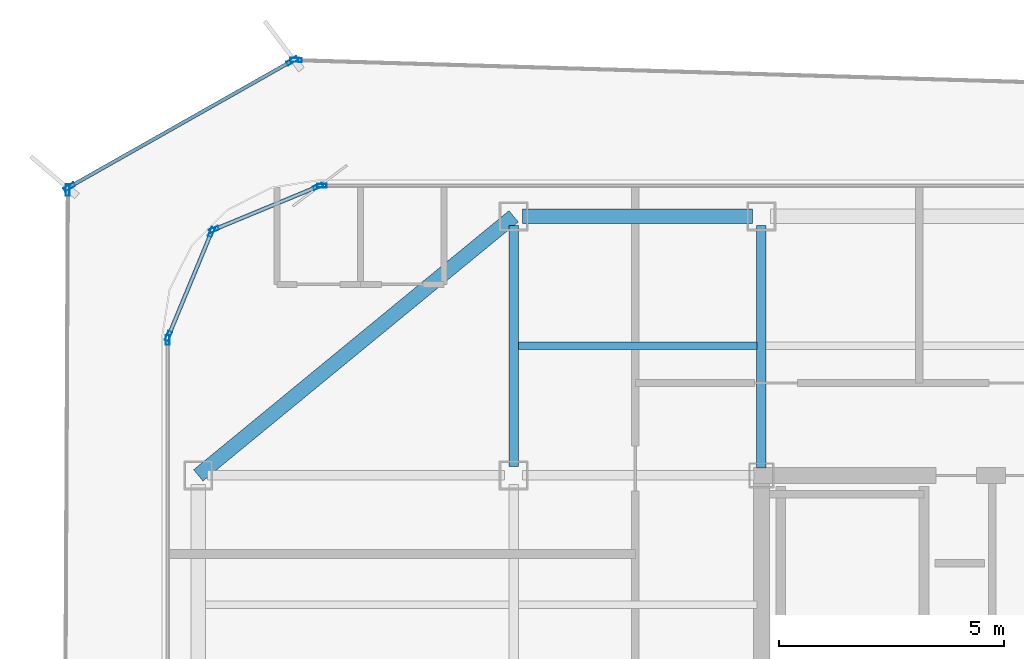
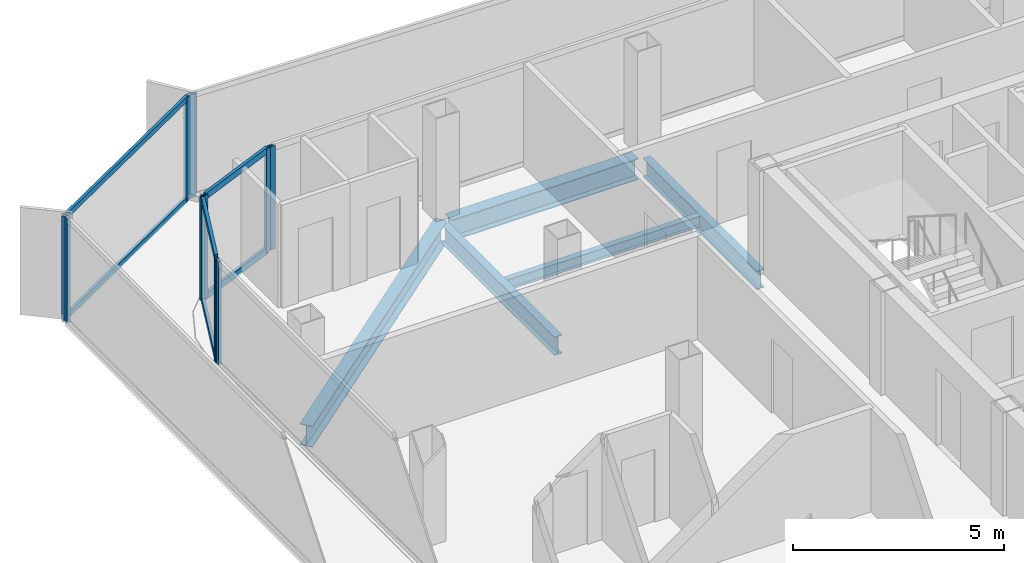
# One storey, part 6 of 15: 16 members, 5 beams, 7 elements without a shape of their own.
"""IFC4 building model written with IfcOpenShell, lengths in metres."""

from ifc_helpers import new_model, si_unit, direction, frame, origin, origin_2d, place, context, subcontext, project, spatial, hollow_rectangle, i_section, extrude, source, transform, mapped, material, layer, layer_set, material_profile, profile_set, type_object, element, aggregate, save


model = new_model("IFC4")

# Units and contexts
model_context = context("Model", 3, precision=1e-05, world=origin(), true_north=direction((0.0, 1.0)))
body_context = subcontext(model_context, "Body", "Model", "MODEL_VIEW")
ifc_project = project(units=[si_unit("LENGTHUNIT", "METRE"), si_unit("AREAUNIT", "SQUARE_METRE"), si_unit("VOLUMEUNIT", "CUBIC_METRE"), si_unit("PLANEANGLEUNIT", "RADIAN"), si_unit("MASSUNIT", "GRAM", prefix="KILO")], contexts=[model_context])

# Site, building, storey
site_placement = place(None, origin())
site = spatial("IfcSite", under=ifc_project, at=site_placement, CompositionType="ELEMENT")
building_placement = place(site_placement, origin())
building = spatial("IfcBuilding", under=site, at=building_placement, Name="Kolveth Station Tower", CompositionType="ELEMENT")
storey_placement = place(building_placement, frame((0.0, 0.0, 258.5)))
storey = spatial("IfcBuildingStorey", under=building, at=storey_placement, Name="L74", CompositionType="ELEMENT", Elevation=258.5)

# Beams
ifc_material_1 = material(Name="Steel S355", Category="steel")
ifc_material_profile_1 = material_profile(ifc_material_1, i_section(OverallWidth=0.323974609375, OverallDepth=0.611083984375, WebThickness=0.0126953125, FlangeThickness=0.01904296875, at=origin_2d()), Name="W610x155")
ifc_profile_set_1 = profile_set([ifc_material_profile_1], Name="Steel S355")
beam_type_1 = type_object("IfcBeamType", Name="Beam_SP2", PredefinedType="SPANDREL", material=ifc_profile_set_1)
shared_shape_1 = source(origin(), body_context, "Body", "SweptSolid", [
    extrude(i_section(OverallWidth=0.323974609375, OverallDepth=0.611083984375, WebThickness=0.0126953125, FlangeThickness=0.01904296875, at=origin_2d()), origin(), (0.0, 0.0, 1.0), 9.058837890625),
])
beam_1_placement = place(storey_placement, frame((13.0, 34.5, -0.525390625), z_axis=(-0.772726254525, -0.63473942336, 0.0), x_axis=(0.63473942336, -0.772726254525, 0.0)))
element("IfcBeam", 1, at=beam_1_placement, inside=storey, type_object=beam_type_1, Name="L74 Corner Edge Girder BM-L74-CNR-NW", PredefinedType="SPANDREL", context=body_context, shape_type="MappedRepresentation", body=[
    mapped(shared_shape_1, transform((0.0, 0.0, 0.0), x_axis=(1.0, 0.0, 0.0), y_axis=(0.0, 1.0, 0.0), z_axis=(0.0, 0.0, 1.0), scale=1.0)),
])
shared_shape_2 = source(origin(), body_context, "Body", "SweptSolid", [
    extrude(i_section(OverallWidth=0.323974609375, OverallDepth=0.611083984375, WebThickness=0.0126953125, FlangeThickness=0.01904296875, at=origin_2d()), origin(), (0.0, 0.0, 1.0), 5.10009765625),
])
beam_2_placement = place(storey_placement, frame((13.199951171875, 34.5, -0.525390625), z_axis=(1.0, 0.0, 0.0), x_axis=(0.0, 1.0, 0.0)))
element("IfcBeam", 2, at=beam_2_placement, inside=storey, type_object=beam_type_1, Name="L74 Perimeter Spandrel BM-L74-PN-1", PredefinedType="SPANDREL", context=body_context, shape_type="MappedRepresentation", body=[
    mapped(shared_shape_2, transform((0.0, 0.0, 0.0), x_axis=(1.0, 0.0, 0.0), y_axis=(0.0, 1.0, 0.0), z_axis=(0.0, 0.0, 1.0), scale=1.0)),
])
ifc_material_profile_2 = material_profile(ifc_material_1, i_section(OverallWidth=0.2099609375, OverallDepth=0.537109375, WebThickness=0.010986328125, FlangeThickness=0.017333984375, at=origin_2d()), Name="W530x101")
ifc_profile_set_2 = profile_set([ifc_material_profile_2], Name="Steel S355")
beam_type_2 = type_object("IfcBeamType", Name="Beam_B6", PredefinedType="BEAM", material=ifc_profile_set_2)
shared_shape_3 = source(origin(), body_context, "Body", "SweptSolid", [
    extrude(i_section(OverallWidth=0.2099609375, OverallDepth=0.537109375, WebThickness=0.010986328125, FlangeThickness=0.017333984375, at=origin_2d()), origin(), (0.0, 0.0, 1.0), 5.35009765625),
])
beam_3_placement = place(storey_placement, frame((13.0, 28.949951171875, -0.488525390625), z_axis=(0.0, 1.0, 0.0), x_axis=(-1.0, 0.0, 0.0)))
element("IfcBeam", 3, at=beam_3_placement, inside=storey, type_object=beam_type_2, Name="L74 Primary Girder BM-L74-GX130-6", PredefinedType="BEAM", context=body_context, shape_type="MappedRepresentation", body=[
    mapped(shared_shape_3, transform((0.0, 0.0, 0.0), x_axis=(1.0, 0.0, 0.0), y_axis=(0.0, 1.0, 0.0), z_axis=(0.0, 0.0, 1.0), scale=1.0)),
])
shared_shape_4 = source(origin(), body_context, "Body", "SweptSolid", [
    extrude(i_section(OverallWidth=0.2099609375, OverallDepth=0.537109375, WebThickness=0.010986328125, FlangeThickness=0.017333984375, at=origin_2d()), origin(), (0.0, 0.0, 1.0), 5.39013671875),
])
beam_4_placement = place(storey_placement, frame((18.5, 28.909912109375, -0.488525390625), z_axis=(0.0, 1.0, 0.0), x_axis=(-1.0, 0.0, 0.0)))
element("IfcBeam", 4, at=beam_4_placement, inside=storey, type_object=beam_type_2, Name="L74 Primary Girder BM-L74-GX185-6", PredefinedType="BEAM", context=body_context, shape_type="MappedRepresentation", body=[
    mapped(shared_shape_4, transform((0.0, 0.0, 0.0), x_axis=(1.0, 0.0, 0.0), y_axis=(0.0, 1.0, 0.0), z_axis=(0.0, 0.0, 1.0), scale=1.0)),
])
ifc_material_profile_3 = material_profile(ifc_material_1, i_section(OverallWidth=0.1650390625, OverallDepth=0.31005859375, WebThickness=0.005859375, FlangeThickness=0.009765625, at=origin_2d()), Name="W310x39")
ifc_profile_set_3 = profile_set([ifc_material_profile_3], Name="Steel S355")
beam_type_3 = type_object("IfcBeamType", Name="Beam_J3", PredefinedType="JOIST", material=ifc_profile_set_3)
shared_shape_5 = source(origin(), body_context, "Body", "SweptSolid", [
    extrude(i_section(OverallWidth=0.1650390625, OverallDepth=0.31005859375, WebThickness=0.005859375, FlangeThickness=0.009765625, at=origin_2d()), origin(), (0.0, 0.0, 1.0), 5.2939453125),
])
beam_5_placement = place(storey_placement, frame((13.10302734375, 31.625, -0.375), z_axis=(1.0, 0.0, 0.0), x_axis=(0.0, 1.0, 0.0)))
element("IfcBeam", 5, at=beam_5_placement, inside=storey, type_object=beam_type_3, Name="L74 Secondary Joist JST-L74-2-6", PredefinedType="JOIST", context=body_context, shape_type="MappedRepresentation", body=[
    mapped(shared_shape_5, transform((0.0, 0.0, 0.0), x_axis=(1.0, 0.0, 0.0), y_axis=(0.0, 1.0, 0.0), z_axis=(0.0, 0.0, 1.0), scale=1.0)),
])

# Curtain wall, member
ifc_material_2 = material(Name="Black anodized aluminium 6063-T6 and dark solar glass", Category="aluminium")
ifc_layer_1 = layer(ifc_material_2, 0.159912109375)
ifc_layer_set_1 = layer_set([ifc_layer_1], Name="Black anodized aluminium 6063-T6 and dark solar glass")
curtain_wall_type_1 = type_object("IfcCurtainWallType", Name="OUTER SKIN CW-OS", PredefinedType="NOTDEFINED", material=ifc_layer_set_1)
curtain_wall_1_placement = place(storey_placement, origin())
curtain_wall_1 = element("IfcCurtainWall", 6, at=curtain_wall_1_placement, inside=storey, type_object=curtain_wall_type_1, Name="L74 Outer Ventilated Skin Curtain Wall 4", PredefinedType="NOTDEFINED")
ifc_material_3 = material(Name="Black anodized aluminium 6063-T6", Category="aluminium")
ifc_material_profile_4 = material_profile(ifc_material_3, hollow_rectangle(XDim=0.090087890625, YDim=0.260009765625, WallThickness=0.0048828125, at=origin_2d()), Name="ALU-90x260x5")
ifc_profile_set_4 = profile_set([ifc_material_profile_4], Name="Black anodized aluminium 6063-T6")
member_type_1 = type_object("IfcMemberType", Name="FIN MULLION ML-OS", PredefinedType="MULLION", material=ifc_profile_set_4)
shared_shape_6 = source(origin(), body_context, "Body", "SweptSolid", [
    extrude(hollow_rectangle(XDim=0.090087890625, YDim=0.260009765625, WallThickness=0.0048828125, at=origin_2d()), origin(), (0.0, 0.0, 1.0), 2.989990234375),
])
member_1_placement = place(storey_placement, frame((8.168701171875, 37.972412109375, 0.0), z_axis=(0.0, 0.0, 1.0), x_axis=(-0.029941317897, -0.999551658236, 0.0)))
member_1 = element("IfcMember", 7, at=member_1_placement, type_object=member_type_1, Name="CW-OS mullion 2", PredefinedType="MULLION", context=body_context, shape_type="MappedRepresentation", body=[
    mapped(shared_shape_6, transform((0.0, 0.0, 0.0), x_axis=(1.0, 0.0, 0.0), y_axis=(0.0, 1.0, 0.0), z_axis=(0.0, 0.0, 1.0), scale=1.0)),
])
aggregate(curtain_wall_1, [member_1])

# Curtain wall, members
curtain_wall_2_placement = place(storey_placement, origin())
curtain_wall_2 = element("IfcCurtainWall", 8, at=curtain_wall_2_placement, inside=storey, type_object=curtain_wall_type_1, Name="L74 Outer Ventilated Skin Curtain Wall 5", PredefinedType="NOTDEFINED")
member_2_placement = place(storey_placement, frame((8.084716796875, 37.951416015625, 0.0), z_axis=(0.0, 0.0, 1.0), x_axis=(0.492593022856, -0.870259796747, 0.0)))
member_2 = element("IfcMember", 9, at=member_2_placement, type_object=member_type_1, Name="CW-OS mullion 1", PredefinedType="MULLION", context=body_context, shape_type="MappedRepresentation", body=[
    mapped(shared_shape_6, transform((0.0, 0.0, 0.0), x_axis=(1.0, 0.0, 0.0), y_axis=(0.0, 1.0, 0.0), z_axis=(0.0, 0.0, 1.0), scale=1.0)),
])
member_3_placement = place(storey_placement, frame((3.137939453125, 35.151611328125, 0.0), z_axis=(0.0, 0.0, 1.0), x_axis=(0.492593022856, -0.870259796747, 0.0)))
member_3 = element("IfcMember", 10, at=member_3_placement, type_object=member_type_1, Name="CW-OS mullion 2", PredefinedType="MULLION", context=body_context, shape_type="MappedRepresentation", body=[
    mapped(shared_shape_6, transform((0.0, 0.0, 0.0), x_axis=(1.0, 0.0, 0.0), y_axis=(0.0, 1.0, 0.0), z_axis=(0.0, 0.0, 1.0), scale=1.0)),
])

# Curtain wall, member
curtain_wall_3_placement = place(storey_placement, origin())
curtain_wall_3 = element("IfcCurtainWall", 11, at=curtain_wall_3_placement, inside=storey, type_object=curtain_wall_type_1, Name="L74 Outer Ventilated Skin Curtain Wall 6", PredefinedType="NOTDEFINED")
member_4_placement = place(storey_placement, frame((3.0986328125, 35.08447265625, 0.0), z_axis=(0.0, 0.0, 1.0), x_axis=(0.999988310762, -0.00483511515, 0.0)))
member_4 = element("IfcMember", 12, at=member_4_placement, type_object=member_type_1, Name="CW-OS mullion 1", PredefinedType="MULLION", context=body_context, shape_type="MappedRepresentation", body=[
    mapped(shared_shape_6, transform((0.0, 0.0, 0.0), x_axis=(1.0, 0.0, 0.0), y_axis=(0.0, 1.0, 0.0), z_axis=(0.0, 0.0, 1.0), scale=1.0)),
])
aggregate(curtain_wall_3, [member_4])

ifc_material_4 = material(Name="Aluminium 6063-T6 and triple low-E dark glass", Category="aluminium")
ifc_layer_2 = layer(ifc_material_4, 0.199951171875)
ifc_layer_set_2 = layer_set([ifc_layer_2], Name="Aluminium 6063-T6 and triple low-E dark glass")
curtain_wall_type_2 = type_object("IfcCurtainWallType", Name="CurtainWall_CW-Z3", PredefinedType="NOTDEFINED", material=ifc_layer_set_2)
curtain_wall_4_placement = place(storey_placement, origin())
curtain_wall_4 = element("IfcCurtainWall", 13, at=curtain_wall_4_placement, inside=storey, type_object=curtain_wall_type_2, Name="L74 Inner Thermal Curtain Wall 6", PredefinedType="NOTDEFINED")
ifc_material_profile_5 = material_profile(ifc_material_3, hollow_rectangle(XDim=0.0849609375, YDim=0.215087890625, WallThickness=0.0048828125, at=origin_2d()), Name="ALU-85x215x5")
ifc_profile_set_5 = profile_set([ifc_material_profile_5], Name="Black anodized aluminium 6063-T6")
member_type_2 = type_object("IfcMemberType", Name="Mullion_ML3", PredefinedType="MULLION", material=ifc_profile_set_5)
shared_shape_7 = source(origin(), body_context, "Body", "SweptSolid", [
    extrude(hollow_rectangle(XDim=0.0849609375, YDim=0.215087890625, WallThickness=0.0048828125, at=origin_2d()), origin(), (0.0, 0.0, 1.0), 2.97998046875),
])
member_5_placement = place(storey_placement, frame((8.742431640625, 35.179931640625, 0.0), z_axis=(0.0, 0.0, 1.0), x_axis=(0.0, -1.0, 0.0)))
member_5 = element("IfcMember", 14, at=member_5_placement, type_object=member_type_2, Name="CW-Z3 mullion 2", PredefinedType="MULLION", context=body_context, shape_type="MappedRepresentation", body=[
    mapped(shared_shape_7, transform((0.0, 0.0, 0.0), x_axis=(1.0, 0.0, 0.0), y_axis=(0.0, 1.0, 0.0), z_axis=(0.0, 0.0, 1.0), scale=1.0)),
])
aggregate(curtain_wall_4, [member_5])

# Curtain wall, members
curtain_wall_5_placement = place(storey_placement, origin())
curtain_wall_5 = element("IfcCurtainWall", 15, at=curtain_wall_5_placement, inside=storey, type_object=curtain_wall_type_2, Name="L74 Inner Thermal Curtain Wall 7", PredefinedType="NOTDEFINED")
member_6_placement = place(storey_placement, frame((8.66064453125, 35.163818359375, 0.0), z_axis=(0.0, 0.0, 1.0), x_axis=(0.382693194181, -0.923875488975, 0.0)))
member_6 = element("IfcMember", 16, at=member_6_placement, type_object=member_type_2, Name="CW-Z3 mullion 1", PredefinedType="MULLION", context=body_context, shape_type="MappedRepresentation", body=[
    mapped(shared_shape_7, transform((0.0, 0.0, 0.0), x_axis=(1.0, 0.0, 0.0), y_axis=(0.0, 1.0, 0.0), z_axis=(0.0, 0.0, 1.0), scale=1.0)),
])
member_7_placement = place(storey_placement, frame((6.349365234375, 34.206298828125, 0.0), z_axis=(0.0, 0.0, 1.0), x_axis=(0.382693194181, -0.923875488975, 0.0)))
member_7 = element("IfcMember", 17, at=member_7_placement, type_object=member_type_2, Name="CW-Z3 mullion 2", PredefinedType="MULLION", context=body_context, shape_type="MappedRepresentation", body=[
    mapped(shared_shape_7, transform((0.0, 0.0, 0.0), x_axis=(1.0, 0.0, 0.0), y_axis=(0.0, 1.0, 0.0), z_axis=(0.0, 0.0, 1.0), scale=1.0)),
])

curtain_wall_6_placement = place(storey_placement, origin())
curtain_wall_6 = element("IfcCurtainWall", 18, at=curtain_wall_6_placement, inside=storey, type_object=curtain_wall_type_2, Name="L74 Inner Thermal Curtain Wall 8", PredefinedType="NOTDEFINED")
member_8_placement = place(storey_placement, frame((6.293701171875, 34.150634765625, 0.0), z_axis=(0.0, 0.0, 1.0), x_axis=(0.923875488975, -0.382693194181, 0.0)))
member_8 = element("IfcMember", 19, at=member_8_placement, type_object=member_type_2, Name="CW-Z3 mullion 1", PredefinedType="MULLION", context=body_context, shape_type="MappedRepresentation", body=[
    mapped(shared_shape_7, transform((0.0, 0.0, 0.0), x_axis=(1.0, 0.0, 0.0), y_axis=(0.0, 1.0, 0.0), z_axis=(0.0, 0.0, 1.0), scale=1.0)),
])
member_9_placement = place(storey_placement, frame((5.336181640625, 31.83935546875, 0.0), z_axis=(0.0, 0.0, 1.0), x_axis=(0.923875488975, -0.382693194181, 0.0)))
member_9 = element("IfcMember", 20, at=member_9_placement, type_object=member_type_2, Name="CW-Z3 mullion 2", PredefinedType="MULLION", context=body_context, shape_type="MappedRepresentation", body=[
    mapped(shared_shape_7, transform((0.0, 0.0, 0.0), x_axis=(1.0, 0.0, 0.0), y_axis=(0.0, 1.0, 0.0), z_axis=(0.0, 0.0, 1.0), scale=1.0)),
])

# Curtain wall, member
curtain_wall_7_placement = place(storey_placement, origin())
curtain_wall_7 = element("IfcCurtainWall", 21, at=curtain_wall_7_placement, inside=storey, type_object=curtain_wall_type_2, Name="L74 Inner Thermal Curtain Wall 9", PredefinedType="NOTDEFINED")
member_10_placement = place(storey_placement, frame((5.320068359375, 31.757568359375, 0.0), z_axis=(0.0, 0.0, 1.0), x_axis=(1.0, 0.0, 0.0)))
member_10 = element("IfcMember", 22, at=member_10_placement, type_object=member_type_2, Name="CW-Z3 mullion 1", PredefinedType="MULLION", context=body_context, shape_type="MappedRepresentation", body=[
    mapped(shared_shape_7, transform((0.0, 0.0, 0.0), x_axis=(1.0, 0.0, 0.0), y_axis=(0.0, 1.0, 0.0), z_axis=(0.0, 0.0, 1.0), scale=1.0)),
])
aggregate(curtain_wall_7, [member_10])

# Member
ifc_material_profile_6 = material_profile(ifc_material_3, hollow_rectangle(XDim=0.0849609375, YDim=0.179931640625, WallThickness=0.0048828125, at=origin_2d()), Name="ALU-85x180x5")
ifc_profile_set_6 = profile_set([ifc_material_profile_6], Name="Black anodized aluminium 6063-T6")
member_type_3 = type_object("IfcMemberType", Name="Transom_TR3", PredefinedType="USERDEFINED", material=ifc_profile_set_6)
shared_shape_8 = source(origin(), body_context, "Body", "SweptSolid", [
    extrude(hollow_rectangle(XDim=0.0849609375, YDim=0.179931640625, WallThickness=0.0048828125, at=origin_2d()), origin(), (0.0, 0.0, 1.0), 2.417236328125),
])
member_11_placement = place(storey_placement, frame((8.62158203125, 35.1474609375, 0.04248046875), z_axis=(-0.923872799448, -0.382699687013, 0.0), x_axis=(0.382699687013, -0.923872799448, 0.0)))
member_11 = element("IfcMember", 23, at=member_11_placement, type_object=member_type_3, Name="CW-Z3 transom 1.1", ObjectType="TRANSOM", PredefinedType="USERDEFINED", context=body_context, shape_type="MappedRepresentation", body=[
    mapped(shared_shape_8, transform((0.0, 0.0, 0.0), x_axis=(1.0, 0.0, 0.0), y_axis=(0.0, 1.0, 0.0), z_axis=(0.0, 0.0, 1.0), scale=1.0)),
])

member_12_placement = place(storey_placement, frame((8.62158203125, 35.1474609375, 2.9375), z_axis=(-0.923872799448, -0.382699687013, 0.0), x_axis=(0.382699687013, -0.923872799448, 0.0)))
member_12 = element("IfcMember", 24, at=member_12_placement, type_object=member_type_3, Name="CW-Z3 transom 1.2", ObjectType="TRANSOM", PredefinedType="USERDEFINED", context=body_context, shape_type="MappedRepresentation", body=[
    mapped(shared_shape_8, transform((0.0, 0.0, 0.0), x_axis=(1.0, 0.0, 0.0), y_axis=(0.0, 1.0, 0.0), z_axis=(0.0, 0.0, 1.0), scale=1.0)),
])

aggregate(curtain_wall_5, [member_6, member_7, member_11, member_12])

member_13_placement = place(storey_placement, frame((6.277587890625, 34.111572265625, 0.04248046875), z_axis=(-0.382699687013, -0.923872799448, 0.0), x_axis=(0.923872799448, -0.382699687013, 0.0)))
member_13 = element("IfcMember", 25, at=member_13_placement, type_object=member_type_3, Name="CW-Z3 transom 1.1", ObjectType="TRANSOM", PredefinedType="USERDEFINED", context=body_context, shape_type="MappedRepresentation", body=[
    mapped(shared_shape_8, transform((0.0, 0.0, 0.0), x_axis=(1.0, 0.0, 0.0), y_axis=(0.0, 1.0, 0.0), z_axis=(0.0, 0.0, 1.0), scale=1.0)),
])

member_14_placement = place(storey_placement, frame((6.277587890625, 34.111572265625, 2.9375), z_axis=(-0.382699687013, -0.923872799448, 0.0), x_axis=(0.923872799448, -0.382699687013, 0.0)))
member_14 = element("IfcMember", 26, at=member_14_placement, type_object=member_type_3, Name="CW-Z3 transom 1.2", ObjectType="TRANSOM", PredefinedType="USERDEFINED", context=body_context, shape_type="MappedRepresentation", body=[
    mapped(shared_shape_8, transform((0.0, 0.0, 0.0), x_axis=(1.0, 0.0, 0.0), y_axis=(0.0, 1.0, 0.0), z_axis=(0.0, 0.0, 1.0), scale=1.0)),
])

aggregate(curtain_wall_6, [member_8, member_9, member_13, member_14])

ifc_material_profile_7 = material_profile(ifc_material_3, hollow_rectangle(XDim=0.080078125, YDim=0.14990234375, WallThickness=0.0048828125, at=origin_2d()), Name="ALU-80x150x5")
ifc_profile_set_7 = profile_set([ifc_material_profile_7], Name="Black anodized aluminium 6063-T6")
member_type_4 = type_object("IfcMemberType", Name="Transom_TR-OS", PredefinedType="USERDEFINED", material=ifc_profile_set_7)
shared_shape_9 = source(origin(), body_context, "Body", "SweptSolid", [
    extrude(hollow_rectangle(XDim=0.080078125, YDim=0.14990234375, WallThickness=0.0048828125, at=origin_2d()), origin(), (0.0, 0.0, 1.0), 5.59423828125),
])
member_15_placement = place(storey_placement, frame((8.04541015625, 37.929443359375, 0.0400390625), z_axis=(-0.870263561892, -0.492586370948, 0.0), x_axis=(0.492586370948, -0.870263561892, 0.0)))
member_15 = element("IfcMember", 27, at=member_15_placement, type_object=member_type_4, Name="CW-OS transom 1.1", ObjectType="TRANSOM", PredefinedType="USERDEFINED", context=body_context, shape_type="MappedRepresentation", body=[
    mapped(shared_shape_9, transform((0.0, 0.0, 0.0), x_axis=(1.0, 0.0, 0.0), y_axis=(0.0, 1.0, 0.0), z_axis=(0.0, 0.0, 1.0), scale=1.0)),
])

member_16_placement = place(storey_placement, frame((8.04541015625, 37.929443359375, 2.949951171875), z_axis=(-0.870263561892, -0.492586370948, 0.0), x_axis=(0.492586370948, -0.870263561892, 0.0)))
member_16 = element("IfcMember", 28, at=member_16_placement, type_object=member_type_4, Name="CW-OS transom 1.2", ObjectType="TRANSOM", PredefinedType="USERDEFINED", context=body_context, shape_type="MappedRepresentation", body=[
    mapped(shared_shape_9, transform((0.0, 0.0, 0.0), x_axis=(1.0, 0.0, 0.0), y_axis=(0.0, 1.0, 0.0), z_axis=(0.0, 0.0, 1.0), scale=1.0)),
])

aggregate(curtain_wall_2, [member_2, member_3, member_15, member_16])

save(model, "model.ifc")
